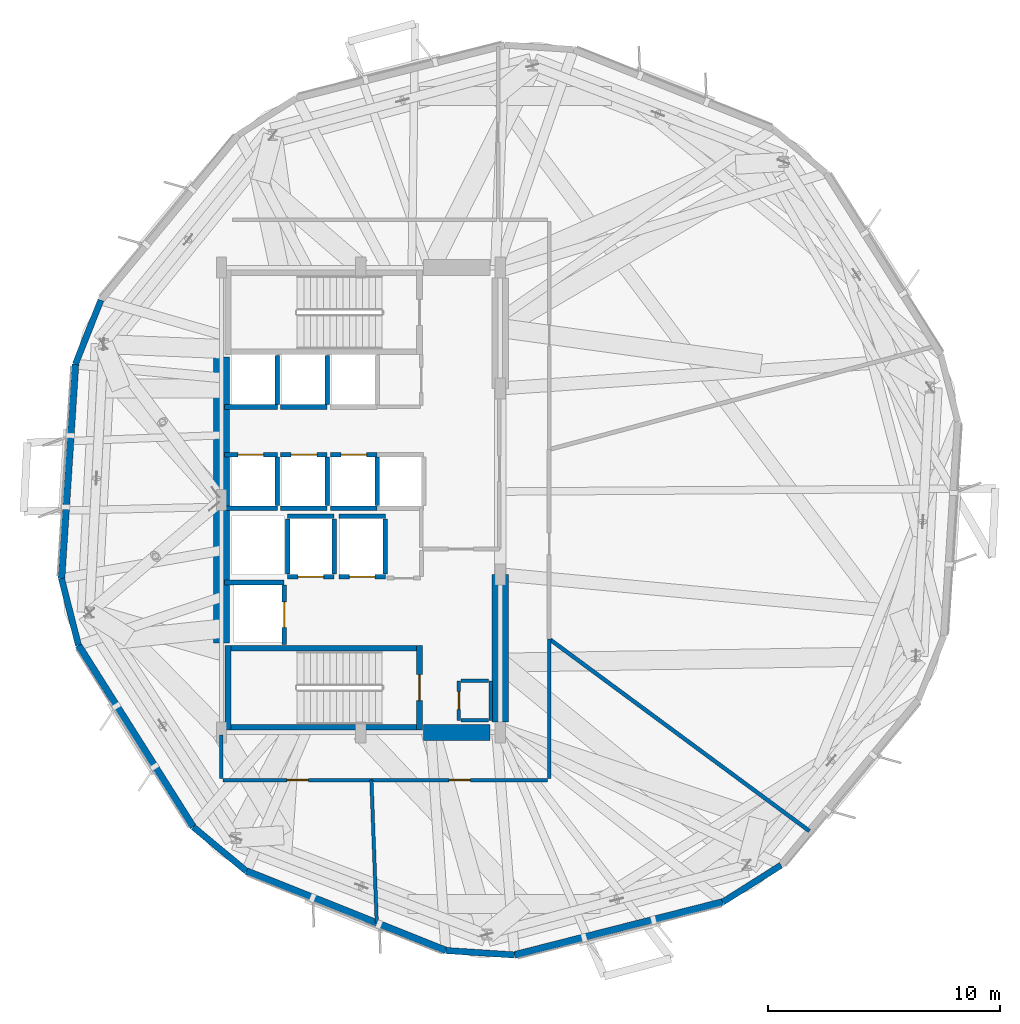
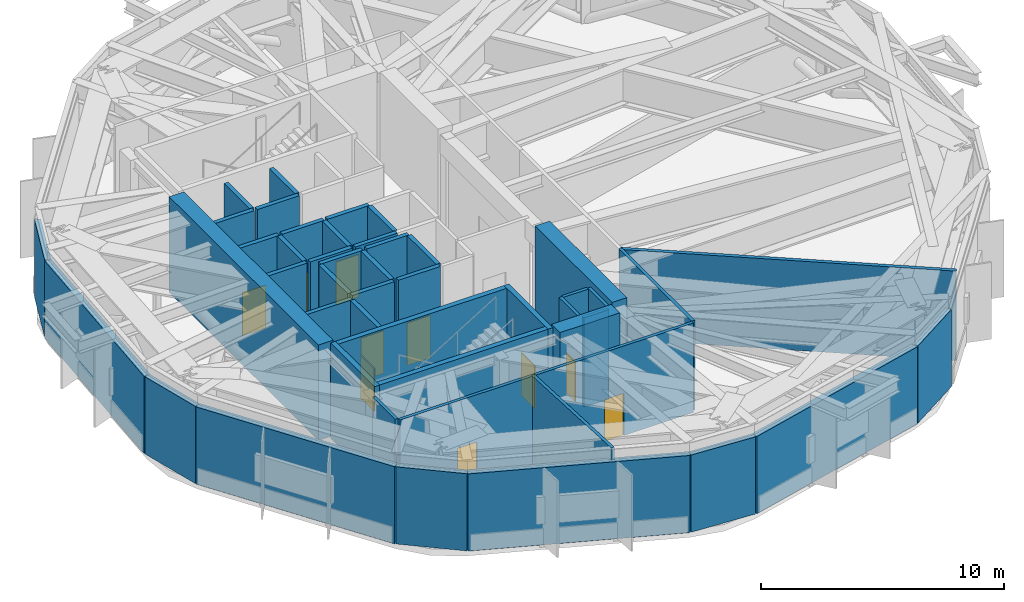
# One storey, part 8 of 13: 48 walls, 10 doors, 10 openings.
"""IFC4 building model written with IfcOpenShell, lengths in metres."""

from ifc_helpers import new_model, si_unit, direction, frame, frame_2d, origin, place, context, subcontext, project, spatial, rectangle, extrude, material, layer, layer_set, type_object, element, fill, save


model = new_model("IFC4")

# Units and contexts
model_context = context("Model", 3, precision=1e-05, world=origin(), true_north=direction((0.0, 1.0)))
body_context = subcontext(model_context, "Body", "Model", "MODEL_VIEW")
ifc_project = project(units=[si_unit("LENGTHUNIT", "METRE"), si_unit("AREAUNIT", "SQUARE_METRE"), si_unit("VOLUMEUNIT", "CUBIC_METRE"), si_unit("PLANEANGLEUNIT", "RADIAN"), si_unit("MASSUNIT", "GRAM", prefix="KILO")], contexts=[model_context])

# Site, building, storey
site_placement = place(None, origin())
site = spatial("IfcSite", under=ifc_project, at=site_placement, CompositionType="ELEMENT")
building_placement = place(site_placement, origin())
building = spatial("IfcBuilding", under=site, at=building_placement, Name="Soratama Intermodal Tower", CompositionType="ELEMENT")
storey_placement = place(building_placement, frame((0.0, 0.0, 82.60009765625)))
storey = spatial("IfcBuildingStorey", under=building, at=storey_placement, Name="L19", CompositionType="ELEMENT", Elevation=82.60009765625)

# Walls
ifc_material_1 = material(Name="Concrete f'c 42 MPa", Category="concrete")
ifc_layer_1 = layer(ifc_material_1, 0.27001953125)
ifc_layer_set_1 = layer_set([ifc_layer_1], Name="Concrete f'c 42 MPa")
wall_type_1 = type_object("IfcWallType", Name="EW-CRN-270", PredefinedType="SOLIDWALL", material=ifc_layer_set_1)
for number, where, z_axis, x_axis, name in (
    (1, (27.4111328125, 33.603271484375, 0.0), (0.0, 0.0, 1.0), (-0.369999752754, -0.929031852501, 0.0), "L19 Corner Closure Wall 04"),
    (2, (25.71337890625, 21.62158203125, 0.0), (0.0, 0.0, 1.0), (0.246735492597, -0.969082863687, 0.0), "L19 Corner Closure Wall 05"),
):
    element("IfcWall", number, at=place(storey_placement, frame(where, z_axis=z_axis, x_axis=x_axis)), inside=storey, type_object=wall_type_1, Name=name, PredefinedType="SOLIDWALL", context=body_context, shape_type="SweptSolid", body=[
        extrude(rectangle(XDim=2.966552734375, YDim=0.27001953125, at=frame_2d((1.4833984375, 0.0))), origin(), (0.0, 0.0, 1.0), 3.87890625),
    ])
wall_1_placement = place(storey_placement, frame((31.382568359375, 10.9306640625, 0.0), z_axis=(0.0, 0.0, 1.0), x_axis=(0.769198462911, -0.639009956617, 0.0)))
element("IfcWall", 3, at=wall_1_placement, inside=storey, type_object=wall_type_1, Name="L19 Corner Closure Wall 06", PredefinedType="SOLIDWALL", context=body_context, shape_type="SweptSolid", body=[
    extrude(rectangle(XDim=2.966796875, YDim=0.27001953125, at=frame_2d((1.4833984375, 0.0))), origin(), (0.0, 0.0, 1.0), 3.87890625),
])
for number, where, z_axis, x_axis, name in (
    (4, (42.253173828125, 5.613525390625, 0.0), (0.0, 0.0, 1.0), (0.997889506798, -0.064934830587, 0.0), "L19 Corner Closure Wall 07"),
    (5, (54.1728515625, 7.701416015625, 0.0), (0.0, 0.0, 1.0), (0.845459567391, 0.534039436659, 0.0), "L19 Corner Closure Wall 08"),
):
    element("IfcWall", number, at=place(storey_placement, frame(where, z_axis=z_axis, x_axis=x_axis)), inside=storey, type_object=wall_type_1, Name=name, PredefinedType="SOLIDWALL", context=body_context, shape_type="SweptSolid", body=[
        extrude(rectangle(XDim=2.966552734375, YDim=0.27001953125, at=frame_2d((1.4833984375, 0.0))), origin(), (0.0, 0.0, 1.0), 3.87890625),
    ])
ifc_material_2 = material(Name="Concrete f'c 42 MPa", Category="concrete")
ifc_layer_2 = layer(ifc_material_2, 0.300048828125)
ifc_layer_set_2 = layer_set([ifc_layer_2], Name="Concrete f'c 42 MPa")
wall_type_2 = type_object("IfcWallType", Name="EW-STONE-300", PredefinedType="SOLIDWALL", material=ifc_layer_set_2)
wall_2_placement = place(storey_placement, frame((26.3134765625, 30.84716796875, 0.0), z_axis=(0.0, 0.0, 1.0), x_axis=(-0.064909928811, -0.997891126898, 0.0)))
element("IfcWall", 6, at=wall_2_placement, inside=storey, type_object=wall_type_2, Name="L19 Plant Wall F05", PredefinedType="SOLIDWALL", context=body_context, shape_type="SweptSolid", body=[
    extrude(rectangle(XDim=9.2451171875, YDim=0.300048828125, at=frame_2d((4.62255859375, 0.0))), origin(), (0.0, 0.0, 1.0), 3.87890625),
])
wall_3_placement = place(storey_placement, frame((26.4453125, 18.746826171875, 0.0), z_axis=(0.0, 0.0, 1.0), x_axis=(0.534049623652, -0.845453132632, 0.0)))
element("IfcWall", 7, at=wall_3_placement, inside=storey, type_object=wall_type_2, Name="L19 Plant Wall F06", PredefinedType="SOLIDWALL", context=body_context, shape_type="SweptSolid", body=[
    extrude(rectangle(XDim=9.244873046875, YDim=0.300048828125, at=frame_2d((4.62255859375, 0.0))), origin(), (0.0, 0.0, 1.0), 3.87890625),
])
for number, where, z_axis, x_axis, name in (
    (8, (33.66455078125, 9.034912109375, 0.0), (0.0, 0.0, 1.0), (0.929000278628, -0.370079021709, 0.0), "L19 Plant Wall F07"),
    (9, (45.21337890625, 5.4208984375, 0.0), (0.0, 0.0, 1.0), (0.969099125139, 0.246671615018, 0.0), "L19 Plant Wall F08"),
):
    element("IfcWall", number, at=place(storey_placement, frame(where, z_axis=z_axis, x_axis=x_axis)), inside=storey, type_object=wall_type_2, Name=name, PredefinedType="SOLIDWALL", context=body_context, shape_type="SweptSolid", body=[
        extrude(rectangle(XDim=9.2451171875, YDim=0.300048828125, at=frame_2d((4.62255859375, 0.0))), origin(), (0.0, 0.0, 1.0), 3.87890625),
    ])
ifc_material_3 = material(Name="Fire-rated gypsum stud partition", Category="concrete")
ifc_layer_3 = layer(ifc_material_3, 0.14990234375)
ifc_layer_set_3 = layer_set([ifc_layer_3], Name="Fire-rated gypsum stud partition")
wall_type_3 = type_object("IfcWallType", Name="IW-PART-R150", PredefinedType="PARTITIONING", material=ifc_layer_set_3)
for number, where, z_axis, x_axis, name in (
    (10, (42.89990234375, 15.52001953125, 0.0), (0.0, 0.0, 1.0), (1.0, 0.0, 0.0), "L19 Riser Wall S"),
    (11, (42.89990234375, 17.219970703125, 0.0), (0.0, 0.0, 1.0), (1.0, 0.0, 0.0), "L19 Riser Wall N"),
):
    element("IfcWall", number, at=place(storey_placement, frame(where, z_axis=z_axis, x_axis=x_axis)), inside=storey, type_object=wall_type_3, Name=name, PredefinedType="PARTITIONING", context=body_context, shape_type="SweptSolid", body=[
        extrude(rectangle(XDim=1.2001953125, YDim=0.14990234375, at=frame_2d((0.60009765625, 0.0))), origin(), (0.0, 0.0, 1.0), 4.5),
    ])
wall_4_placement = place(storey_placement, frame((44.179931640625, 15.52001953125, 0.0), z_axis=(0.0, 0.0, 1.0), x_axis=(0.0, 1.0, 0.0)))
element("IfcWall", 12, at=wall_4_placement, inside=storey, type_object=wall_type_3, Name="L19 Riser Wall E", PredefinedType="PARTITIONING", context=body_context, shape_type="SweptSolid", body=[
    extrude(rectangle(XDim=1.699951171875, YDim=0.14990234375, at=frame_2d((0.85009765625, 0.0))), origin(), (0.0, 0.0, 1.0), 4.5),
])

# Wall, opening, door
wall_5_placement = place(storey_placement, frame((42.820068359375, 15.52001953125, 0.0), z_axis=(0.0, 0.0, 1.0), x_axis=(0.0, 1.0, 0.0)))
wall_5 = element("IfcWall", 13, at=wall_5_placement, inside=storey, type_object=wall_type_3, Name="L19 Riser Front Wall", PredefinedType="PARTITIONING", context=body_context, shape_type="SweptSolid", body=[
    extrude(rectangle(XDim=1.699951171875, YDim=0.14990234375, at=frame_2d((0.85009765625, 0.0))), origin(), (0.0, 0.0, 1.0), 4.5),
])
opening_1_placement = place(wall_5_placement, frame((0.469970703125, 0.0, 0.0)))
opening_1 = element("IfcOpeningElement", 14, at=opening_1_placement, cuts=wall_5, Name="Opening TD-1", PredefinedType="OPENING", context=body_context, shape_type="SweptSolid", body=[
    extrude(rectangle(XDim=0.760009765625, YDim=2.0, at=frame_2d((0.3798828125, 1.0))), frame((0.0, 0.0849609375, 0.0), z_axis=(0.0, -1.0, 0.0), x_axis=(1.0, 0.0, 0.0)), (0.0, 0.0, 1.0), 0.169921875),
])
ifc_material_4 = material(Name="Steel fire door", Category="steel")
door_type_1 = type_object("IfcDoorType", Name="DR-RISER-TRAP", OperationType="NOTDEFINED", PredefinedType="TRAPDOOR", material=ifc_material_4)
door_1_placement = place(opening_1_placement, origin())
door_1 = element("IfcDoor", 15, at=door_1_placement, inside=storey, type_object=door_type_1, Name="L19 Riser Inspection Door", OperationType="SINGLE_SWING_LEFT", OverallHeight=2.0, OverallWidth=0.760009765625, PredefinedType="TRAPDOOR", context=body_context, shape_type="SweptSolid", body=[
    extrude(rectangle(XDim=0.760009765625, YDim=2.0, at=frame_2d((0.3798828125, 1.0))), frame((0.0, 0.02490234375, 0.0), z_axis=(0.0, -1.0, 0.0), x_axis=(1.0, 0.0, 0.0)), (0.0, 0.0, 1.0), 0.050048828125),
])
fill(opening_1, door_1)

wall_6_placement = place(storey_placement, frame((46.6298828125, 12.949951171875, 0.0), z_axis=(0.0, 0.0, 1.0), x_axis=(-1.0, 0.0, 0.0)))
wall_6 = element("IfcWall", 16, at=wall_6_placement, inside=storey, type_object=wall_type_3, Name="L19 Partition W-L19-TP005", PredefinedType="PARTITIONING", context=body_context, shape_type="SweptSolid", body=[
    extrude(rectangle(XDim=7.578857421875, YDim=0.14990234375, at=frame_2d((3.78955078125, 0.0))), origin(), (0.0, 0.0, 1.0), 4.5),
])
opening_2_placement = place(wall_6_placement, frame((3.31494140625, 0.0, 0.0)))
opening_2 = element("IfcOpeningElement", 17, at=opening_2_placement, cuts=wall_6, Name="Opening ID-6", PredefinedType="OPENING", context=body_context, shape_type="SweptSolid", body=[
    extrude(rectangle(XDim=0.919921875, YDim=2.1201171875, at=frame_2d((0.4599609375, 1.06005859375))), frame((0.0, 0.0849609375, 0.0), z_axis=(0.0, -1.0, 0.0), x_axis=(1.0, 0.0, 0.0)), (0.0, 0.0, 1.0), 0.169921875),
])
ifc_material_5 = material(Name="Solid hardwood acoustic door", Category="wood")
door_type_2 = type_object("IfcDoorType", Name="DR-ROOM-920", OperationType="NOTDEFINED", PredefinedType="DOOR", material=ifc_material_5)
door_2_placement = place(opening_2_placement, origin())
door_2 = element("IfcDoor", 18, at=door_2_placement, inside=storey, type_object=door_type_2, Name="L19 Door D-L19-TP003", OperationType="SINGLE_SWING_RIGHT", OverallHeight=2.1201171875, OverallWidth=0.919921875, PredefinedType="DOOR", context=body_context, shape_type="SweptSolid", body=[
    extrude(rectangle(XDim=0.919921875, YDim=2.1201171875, at=frame_2d((0.4599609375, 1.06005859375))), frame((0.0, 0.02490234375, 0.0), z_axis=(0.0, -1.0, 0.0), x_axis=(1.0, 0.0, 0.0)), (0.0, 0.0, 1.0), 0.050048828125),
])
fill(opening_2, door_2)

wall_7_placement = place(storey_placement, frame((39.051025390625, 12.949951171875, 0.0), z_axis=(0.0, 0.0, 1.0), x_axis=(-1.0, 0.0, 0.0)))
wall_7 = element("IfcWall", 19, at=wall_7_placement, inside=storey, type_object=wall_type_3, Name="L19 Partition W-L19-TP008", PredefinedType="PARTITIONING", context=body_context, shape_type="SweptSolid", body=[
    extrude(rectangle(XDim=6.381103515625, YDim=0.14990234375, at=frame_2d((3.1904296875, 0.0))), origin(), (0.0, 0.0, 1.0), 4.5),
])
opening_3_placement = place(wall_7_placement, frame((2.716064453125, 0.0, 0.0)))
opening_3 = element("IfcOpeningElement", 20, at=opening_3_placement, cuts=wall_7, Name="Opening ID-6", PredefinedType="OPENING", context=body_context, shape_type="SweptSolid", body=[
    extrude(rectangle(XDim=0.919921875, YDim=2.1201171875, at=frame_2d((0.4599609375, 1.06005859375))), frame((0.0, 0.0849609375, 0.0), z_axis=(0.0, -1.0, 0.0), x_axis=(1.0, 0.0, 0.0)), (0.0, 0.0, 1.0), 0.169921875),
])
door_3_placement = place(opening_3_placement, origin())
door_3 = element("IfcDoor", 21, at=door_3_placement, inside=storey, type_object=door_type_2, Name="L19 Door D-L19-TP005", OperationType="SINGLE_SWING_RIGHT", OverallHeight=2.1201171875, OverallWidth=0.919921875, PredefinedType="DOOR", context=body_context, shape_type="SweptSolid", body=[
    extrude(rectangle(XDim=0.919921875, YDim=2.1201171875, at=frame_2d((0.4599609375, 1.06005859375))), frame((0.0, 0.02490234375, 0.0), z_axis=(0.0, -1.0, 0.0), x_axis=(1.0, 0.0, 0.0)), (0.0, 0.0, 1.0), 0.050048828125),
])
fill(opening_3, door_3)

# Walls
wall_8_placement = place(storey_placement, frame((39.051025390625, 12.949951171875, 0.0), z_axis=(0.0, 0.0, 1.0), x_axis=(0.037357823621, -0.999301952872, 0.0)))
element("IfcWall", 22, at=wall_8_placement, inside=storey, type_object=wall_type_3, Name="L19 Partition W-L19-TP009", PredefinedType="PARTITIONING", context=body_context, shape_type="SweptSolid", body=[
    extrude(rectangle(XDim=6.15625, YDim=0.14990234375, at=frame_2d((3.078125, 0.0))), origin(), (0.0, 0.0, 1.0), 4.5),
])
wall_9_placement = place(storey_placement, frame((46.699951171875, 19.02294921875, 0.0), z_axis=(0.0, 0.0, 1.0), x_axis=(0.0, -1.0, 0.0)))
element("IfcWall", 23, at=wall_9_placement, inside=storey, type_object=wall_type_3, Name="L19 Partition W-L19-TP010", PredefinedType="PARTITIONING", context=body_context, shape_type="SweptSolid", body=[
    extrude(rectangle(XDim=6.0029296875, YDim=0.14990234375, at=frame_2d((3.00146484375, 0.0))), origin(), (0.0, 0.0, 1.0), 4.5),
])
wall_10_placement = place(storey_placement, frame((32.60009765625, 13.02001953125, 0.0), z_axis=(0.0, 0.0, 1.0), x_axis=(0.0, 1.0, 0.0)))
element("IfcWall", 24, at=wall_10_placement, inside=storey, type_object=wall_type_3, Name="L19 Partition W-L19-TP014", PredefinedType="PARTITIONING", context=body_context, shape_type="SweptSolid", body=[
    extrude(rectangle(XDim=1.85986328125, YDim=0.14990234375, at=frame_2d((0.929931640625, 0.0))), origin(), (0.0, 0.0, 1.0), 4.5),
])
ifc_material_6 = material(Name="Fire-rated gypsum stud partition", Category="concrete")
ifc_layer_4 = layer(ifc_material_6, 0.169921875)
ifc_layer_set_4 = layer_set([ifc_layer_4], Name="Fire-rated gypsum stud partition")
wall_type_4 = type_object("IfcWallType", Name="IW-PART-R170", PredefinedType="PARTITIONING", material=ifc_layer_set_4)
wall_11_placement = place(storey_placement, frame((57.90087890625, 10.7548828125, 0.0), z_axis=(0.0, 0.0, 1.0), x_axis=(-0.8045495409, 0.593885541361, 0.0)))
element("IfcWall", 25, at=wall_11_placement, inside=storey, type_object=wall_type_4, Name="L19 Partition W-L19-TP002", PredefinedType="PARTITIONING", context=body_context, shape_type="SweptSolid", body=[
    extrude(rectangle(XDim=13.921875, YDim=0.169921875, at=frame_2d((6.9609375, 0.0))), origin(), (0.0, 0.0, 1.0), 4.5),
])

# Wall, opening, door
ifc_material_7 = material(Name="Concrete f'c 42 MPa", Category="concrete")
ifc_layer_5 = layer(ifc_material_7, 0.199951171875)
ifc_layer_set_5 = layer_set([ifc_layer_5], Name="Concrete f'c 42 MPa")
wall_type_5 = type_object("IfcWallType", Name="IW-SHAFT-200", PredefinedType="SOLIDWALL", material=ifc_layer_set_5)
wall_12_placement = place(storey_placement, frame((35.449951171875, 21.699951171875, 0.0), z_axis=(0.0, 0.0, 1.0), x_axis=(1.0, 0.0, 0.0)))
wall_12 = element("IfcWall", 26, at=wall_12_placement, inside=storey, type_object=wall_type_5, Name="L19 FFL-1 Hoistway Wall S", PredefinedType="SOLIDWALL", context=body_context, shape_type="SweptSolid", body=[
    extrude(rectangle(XDim=2.0, YDim=0.199951171875, at=frame_2d((1.0, 0.0))), origin(), (0.0, 0.0, 1.0), 4.5),
])
opening_4_placement = place(wall_12_placement, frame((0.449951171875, 0.0, 0.0)))
opening_4 = element("IfcOpeningElement", 27, at=opening_4_placement, cuts=wall_12, Name="Opening LD-1", PredefinedType="OPENING", context=body_context, shape_type="SweptSolid", body=[
    extrude(rectangle(XDim=1.10009765625, YDim=2.14990234375, at=frame_2d((0.550048828125, 1.074951171875))), frame((0.0, 0.10986328125, 0.0), z_axis=(0.0, -1.0, 0.0), x_axis=(1.0, 0.0, 0.0)), (0.0, 0.0, 1.0), 0.219970703125),
])
ifc_material_8 = material(Name="Steel fire door", Category="steel")
door_type_3 = type_object("IfcDoorType", Name="DR-LIFT-SLIDE", OperationType="NOTDEFINED", PredefinedType="DOOR", material=ifc_material_8)
door_4_placement = place(opening_4_placement, origin())
door_4 = element("IfcDoor", 28, at=door_4_placement, inside=storey, type_object=door_type_3, Name="L19 FFL-1 Sliding Landing Door", OperationType="SLIDING_TO_LEFT", OverallHeight=2.14990234375, OverallWidth=1.10009765625, PredefinedType="DOOR", context=body_context, shape_type="SweptSolid", body=[
    extrude(rectangle(XDim=1.10009765625, YDim=2.14990234375, at=frame_2d((0.550048828125, 1.074951171875))), frame((0.0, 0.02490234375, 0.0), z_axis=(0.0, -1.0, 0.0), x_axis=(1.0, 0.0, 0.0)), (0.0, 0.0, 1.0), 0.050048828125),
])
fill(opening_4, door_4)

# Walls
wall_13_placement = place(storey_placement, frame((35.449951171875, 24.300048828125, 0.0), z_axis=(0.0, 0.0, 1.0), x_axis=(1.0, 0.0, 0.0)))
element("IfcWall", 29, at=wall_13_placement, inside=storey, type_object=wall_type_5, Name="L19 FFL-1 Hoistway Wall N", PredefinedType="SOLIDWALL", context=body_context, shape_type="SweptSolid", body=[
    extrude(rectangle(XDim=2.0, YDim=0.199951171875, at=frame_2d((1.0, 0.0))), origin(), (0.0, 0.0, 1.0), 4.5),
])
for number, where, z_axis, x_axis, name in (
    (30, (35.449951171875, 21.81005859375, 0.0), (0.0, 0.0, 1.0), (0.0, 1.0, 0.0), "L19 FFL-1 Hoistway Wall W"),
    (31, (37.449951171875, 21.81005859375, 0.0), (0.0, 0.0, 1.0), (0.0, 1.0, 0.0), "L19 FFL-1 Hoistway Wall E"),
):
    element("IfcWall", number, at=place(storey_placement, frame(where, z_axis=z_axis, x_axis=x_axis)), inside=storey, type_object=wall_type_5, Name=name, PredefinedType="SOLIDWALL", context=body_context, shape_type="SweptSolid", body=[
        extrude(rectangle(XDim=2.3798828125, YDim=0.199951171875, at=frame_2d((1.18994140625, 0.0))), origin(), (0.0, 0.0, 1.0), 4.5),
    ])

# Wall, opening, door
wall_14_placement = place(storey_placement, frame((37.64990234375, 21.699951171875, 0.0), z_axis=(0.0, 0.0, 1.0), x_axis=(1.0, 0.0, 0.0)))
wall_14 = element("IfcWall", 32, at=wall_14_placement, inside=storey, type_object=wall_type_5, Name="L19 FFL-2 Hoistway Wall S", PredefinedType="SOLIDWALL", context=body_context, shape_type="SweptSolid", body=[
    extrude(rectangle(XDim=2.0, YDim=0.199951171875, at=frame_2d((1.0, 0.0))), origin(), (0.0, 0.0, 1.0), 4.5),
])
opening_5_placement = place(wall_14_placement, frame((0.449951171875, 0.0, 0.0)))
opening_5 = element("IfcOpeningElement", 33, at=opening_5_placement, cuts=wall_14, Name="Opening LD-1", PredefinedType="OPENING", context=body_context, shape_type="SweptSolid", body=[
    extrude(rectangle(XDim=1.10009765625, YDim=2.14990234375, at=frame_2d((0.550048828125, 1.074951171875))), frame((0.0, 0.10986328125, 0.0), z_axis=(0.0, -1.0, 0.0), x_axis=(1.0, 0.0, 0.0)), (0.0, 0.0, 1.0), 0.219970703125),
])
door_5_placement = place(opening_5_placement, origin())
door_5 = element("IfcDoor", 34, at=door_5_placement, inside=storey, type_object=door_type_3, Name="L19 FFL-2 Sliding Landing Door", OperationType="SLIDING_TO_LEFT", OverallHeight=2.14990234375, OverallWidth=1.10009765625, PredefinedType="DOOR", context=body_context, shape_type="SweptSolid", body=[
    extrude(rectangle(XDim=1.10009765625, YDim=2.14990234375, at=frame_2d((0.550048828125, 1.074951171875))), frame((0.0, 0.02490234375, 0.0), z_axis=(0.0, -1.0, 0.0), x_axis=(1.0, 0.0, 0.0)), (0.0, 0.0, 1.0), 0.050048828125),
])
fill(opening_5, door_5)

# Walls
wall_15_placement = place(storey_placement, frame((37.64990234375, 24.300048828125, 0.0), z_axis=(0.0, 0.0, 1.0), x_axis=(1.0, 0.0, 0.0)))
element("IfcWall", 35, at=wall_15_placement, inside=storey, type_object=wall_type_5, Name="L19 FFL-2 Hoistway Wall N", PredefinedType="SOLIDWALL", context=body_context, shape_type="SweptSolid", body=[
    extrude(rectangle(XDim=2.0, YDim=0.199951171875, at=frame_2d((1.0, 0.0))), origin(), (0.0, 0.0, 1.0), 4.5),
])
wall_16_placement = place(storey_placement, frame((39.64990234375, 21.81005859375, 0.0), z_axis=(0.0, 0.0, 1.0), x_axis=(0.0, 1.0, 0.0)))
element("IfcWall", 36, at=wall_16_placement, inside=storey, type_object=wall_type_5, Name="L19 FFL-2 Hoistway Wall E", PredefinedType="SOLIDWALL", context=body_context, shape_type="SweptSolid", body=[
    extrude(rectangle(XDim=2.3798828125, YDim=0.199951171875, at=frame_2d((1.18994140625, 0.0))), origin(), (0.0, 0.0, 1.0), 4.5),
])
wall_17_placement = place(storey_placement, frame((32.719970703125, 21.449951171875, 0.0), z_axis=(0.0, 0.0, 1.0), x_axis=(1.0, 0.0, 0.0)))
element("IfcWall", 37, at=wall_17_placement, inside=storey, type_object=wall_type_5, Name="L19 SVL-1 Hoistway Wall N", PredefinedType="SOLIDWALL", context=body_context, shape_type="SweptSolid", body=[
    extrude(rectangle(XDim=2.580078125, YDim=0.199951171875, at=frame_2d((1.2900390625, 0.0))), origin(), (0.0, 0.0, 1.0), 4.5),
])

# Wall, opening, door
wall_18_placement = place(storey_placement, frame((35.300048828125, 18.7900390625, 0.0), z_axis=(0.0, 0.0, 1.0), x_axis=(0.0, 1.0, 0.0)))
wall_18 = element("IfcWall", 38, at=wall_18_placement, inside=storey, type_object=wall_type_5, Name="L19 SVL-1 Hoistway Wall E", PredefinedType="SOLIDWALL", context=body_context, shape_type="SweptSolid", body=[
    extrude(rectangle(XDim=2.550048828125, YDim=0.199951171875, at=frame_2d((1.27490234375, 0.0))), origin(), (0.0, 0.0, 1.0), 4.5),
])
opening_6_placement = place(wall_18_placement, frame((0.72509765625, 0.0, 0.0)))
opening_6 = element("IfcOpeningElement", 39, at=opening_6_placement, cuts=wall_18, Name="Opening LD-1", PredefinedType="OPENING", context=body_context, shape_type="SweptSolid", body=[
    extrude(rectangle(XDim=1.10009765625, YDim=2.14990234375, at=frame_2d((0.550048828125, 1.074951171875))), frame((0.0, 0.10986328125, 0.0), z_axis=(0.0, -1.0, 0.0), x_axis=(1.0, 0.0, 0.0)), (0.0, 0.0, 1.0), 0.219970703125),
])
door_6_placement = place(opening_6_placement, origin())
door_6 = element("IfcDoor", 40, at=door_6_placement, inside=storey, type_object=door_type_3, Name="L19 SVL-1 Sliding Landing Door", OperationType="SLIDING_TO_LEFT", OverallHeight=2.14990234375, OverallWidth=1.10009765625, PredefinedType="DOOR", context=body_context, shape_type="SweptSolid", body=[
    extrude(rectangle(XDim=1.10009765625, YDim=2.14990234375, at=frame_2d((0.550048828125, 1.074951171875))), frame((0.0, 0.02490234375, 0.0), z_axis=(0.0, -1.0, 0.0), x_axis=(1.0, 0.0, 0.0)), (0.0, 0.0, 1.0), 0.050048828125),
])
fill(opening_6, door_6)

# Wall
wall_19_placement = place(storey_placement, frame((32.719970703125, 24.64990234375, 0.0), z_axis=(0.0, 0.0, 1.0), x_axis=(1.0, 0.0, 0.0)))
element("IfcWall", 41, at=wall_19_placement, inside=storey, type_object=wall_type_5, Name="L19 PL-L1 Hoistway Wall S", PredefinedType="SOLIDWALL", context=body_context, shape_type="SweptSolid", body=[
    extrude(rectangle(XDim=2.280029296875, YDim=0.199951171875, at=frame_2d((1.14013671875, 0.0))), origin(), (0.0, 0.0, 1.0), 4.5),
])

# Wall, opening, door
wall_20_placement = place(storey_placement, frame((32.719970703125, 26.949951171875, 0.0), z_axis=(0.0, 0.0, 1.0), x_axis=(1.0, 0.0, 0.0)))
wall_20 = element("IfcWall", 42, at=wall_20_placement, inside=storey, type_object=wall_type_5, Name="L19 PL-L1 Hoistway Wall N", PredefinedType="SOLIDWALL", context=body_context, shape_type="SweptSolid", body=[
    extrude(rectangle(XDim=2.280029296875, YDim=0.199951171875, at=frame_2d((1.14013671875, 0.0))), origin(), (0.0, 0.0, 1.0), 4.5),
])
opening_7_placement = place(wall_20_placement, frame((0.590087890625, 0.0, 0.0)))
opening_7 = element("IfcOpeningElement", 43, at=opening_7_placement, cuts=wall_20, Name="Opening LD-1", PredefinedType="OPENING", context=body_context, shape_type="SweptSolid", body=[
    extrude(rectangle(XDim=1.10009765625, YDim=2.14990234375, at=frame_2d((0.550048828125, 1.074951171875))), frame((0.0, 0.10986328125, 0.0), z_axis=(0.0, -1.0, 0.0), x_axis=(1.0, 0.0, 0.0)), (0.0, 0.0, 1.0), 0.219970703125),
])
door_7_placement = place(opening_7_placement, origin())
door_7 = element("IfcDoor", 44, at=door_7_placement, inside=storey, type_object=door_type_3, Name="L19 PL-L1 Sliding Landing Door", OperationType="SLIDING_TO_LEFT", OverallHeight=2.14990234375, OverallWidth=1.10009765625, PredefinedType="DOOR", context=body_context, shape_type="SweptSolid", body=[
    extrude(rectangle(XDim=1.10009765625, YDim=2.14990234375, at=frame_2d((0.550048828125, 1.074951171875))), frame((0.0, 0.02490234375, 0.0), z_axis=(0.0, -1.0, 0.0), x_axis=(1.0, 0.0, 0.0)), (0.0, 0.0, 1.0), 0.050048828125),
])
fill(opening_7, door_7)

# Walls
wall_21_placement = place(storey_placement, frame((35.0, 24.760009765625, 0.0), z_axis=(0.0, 0.0, 1.0), x_axis=(0.0, 1.0, 0.0)))
element("IfcWall", 45, at=wall_21_placement, inside=storey, type_object=wall_type_5, Name="L19 PL-L1 Hoistway Wall E", PredefinedType="SOLIDWALL", context=body_context, shape_type="SweptSolid", body=[
    extrude(rectangle(XDim=2.080078125, YDim=0.199951171875, at=frame_2d((1.0400390625, 0.0))), origin(), (0.0, 0.0, 1.0), 4.5),
])
wall_22_placement = place(storey_placement, frame((35.14990234375, 24.64990234375, 0.0), z_axis=(0.0, 0.0, 1.0), x_axis=(1.0, 0.0, 0.0)))
element("IfcWall", 46, at=wall_22_placement, inside=storey, type_object=wall_type_5, Name="L19 PL-L2 Hoistway Wall S", PredefinedType="SOLIDWALL", context=body_context, shape_type="SweptSolid", body=[
    extrude(rectangle(XDim=2.0, YDim=0.199951171875, at=frame_2d((1.0, 0.0))), origin(), (0.0, 0.0, 1.0), 4.5),
])

# Wall, opening, door
wall_23_placement = place(storey_placement, frame((35.14990234375, 26.949951171875, 0.0), z_axis=(0.0, 0.0, 1.0), x_axis=(1.0, 0.0, 0.0)))
wall_23 = element("IfcWall", 47, at=wall_23_placement, inside=storey, type_object=wall_type_5, Name="L19 PL-L2 Hoistway Wall N", PredefinedType="SOLIDWALL", context=body_context, shape_type="SweptSolid", body=[
    extrude(rectangle(XDim=2.0, YDim=0.199951171875, at=frame_2d((1.0, 0.0))), origin(), (0.0, 0.0, 1.0), 4.5),
])
opening_8_placement = place(wall_23_placement, frame((0.449951171875, 0.0, 0.0)))
opening_8 = element("IfcOpeningElement", 48, at=opening_8_placement, cuts=wall_23, Name="Opening LD-1", PredefinedType="OPENING", context=body_context, shape_type="SweptSolid", body=[
    extrude(rectangle(XDim=1.10009765625, YDim=2.14990234375, at=frame_2d((0.550048828125, 1.074951171875))), frame((0.0, 0.10986328125, 0.0), z_axis=(0.0, -1.0, 0.0), x_axis=(1.0, 0.0, 0.0)), (0.0, 0.0, 1.0), 0.219970703125),
])
door_8_placement = place(opening_8_placement, origin())
door_8 = element("IfcDoor", 49, at=door_8_placement, inside=storey, type_object=door_type_3, Name="L19 PL-L2 Sliding Landing Door", OperationType="SLIDING_TO_LEFT", OverallHeight=2.14990234375, OverallWidth=1.10009765625, PredefinedType="DOOR", context=body_context, shape_type="SweptSolid", body=[
    extrude(rectangle(XDim=1.10009765625, YDim=2.14990234375, at=frame_2d((0.550048828125, 1.074951171875))), frame((0.0, 0.02490234375, 0.0), z_axis=(0.0, -1.0, 0.0), x_axis=(1.0, 0.0, 0.0)), (0.0, 0.0, 1.0), 0.050048828125),
])
fill(opening_8, door_8)

# Walls
wall_24_placement = place(storey_placement, frame((37.14990234375, 24.760009765625, 0.0), z_axis=(0.0, 0.0, 1.0), x_axis=(0.0, 1.0, 0.0)))
element("IfcWall", 50, at=wall_24_placement, inside=storey, type_object=wall_type_5, Name="L19 PL-L2 Hoistway Wall E", PredefinedType="SOLIDWALL", context=body_context, shape_type="SweptSolid", body=[
    extrude(rectangle(XDim=2.080078125, YDim=0.199951171875, at=frame_2d((1.0400390625, 0.0))), origin(), (0.0, 0.0, 1.0), 4.5),
])
wall_25_placement = place(storey_placement, frame((37.300048828125, 24.64990234375, 0.0), z_axis=(0.0, 0.0, 1.0), x_axis=(1.0, 0.0, 0.0)))
element("IfcWall", 51, at=wall_25_placement, inside=storey, type_object=wall_type_5, Name="L19 PL-L3 Hoistway Wall S", PredefinedType="SOLIDWALL", context=body_context, shape_type="SweptSolid", body=[
    extrude(rectangle(XDim=2.0, YDim=0.199951171875, at=frame_2d((1.0, 0.0))), origin(), (0.0, 0.0, 1.0), 4.5),
])

# Wall, opening, door
wall_26_placement = place(storey_placement, frame((37.300048828125, 26.949951171875, 0.0), z_axis=(0.0, 0.0, 1.0), x_axis=(1.0, 0.0, 0.0)))
wall_26 = element("IfcWall", 52, at=wall_26_placement, inside=storey, type_object=wall_type_5, Name="L19 PL-L3 Hoistway Wall N", PredefinedType="SOLIDWALL", context=body_context, shape_type="SweptSolid", body=[
    extrude(rectangle(XDim=2.0, YDim=0.199951171875, at=frame_2d((1.0, 0.0))), origin(), (0.0, 0.0, 1.0), 4.5),
])
opening_9_placement = place(wall_26_placement, frame((0.449951171875, 0.0, 0.0)))
opening_9 = element("IfcOpeningElement", 53, at=opening_9_placement, cuts=wall_26, Name="Opening LD-1", PredefinedType="OPENING", context=body_context, shape_type="SweptSolid", body=[
    extrude(rectangle(XDim=1.10009765625, YDim=2.14990234375, at=frame_2d((0.550048828125, 1.074951171875))), frame((0.0, 0.10986328125, 0.0), z_axis=(0.0, -1.0, 0.0), x_axis=(1.0, 0.0, 0.0)), (0.0, 0.0, 1.0), 0.219970703125),
])
door_9_placement = place(opening_9_placement, origin())
door_9 = element("IfcDoor", 54, at=door_9_placement, inside=storey, type_object=door_type_3, Name="L19 PL-L3 Sliding Landing Door", OperationType="SLIDING_TO_LEFT", OverallHeight=2.14990234375, OverallWidth=1.10009765625, PredefinedType="DOOR", context=body_context, shape_type="SweptSolid", body=[
    extrude(rectangle(XDim=1.10009765625, YDim=2.14990234375, at=frame_2d((0.550048828125, 1.074951171875))), frame((0.0, 0.02490234375, 0.0), z_axis=(0.0, -1.0, 0.0), x_axis=(1.0, 0.0, 0.0)), (0.0, 0.0, 1.0), 0.050048828125),
])
fill(opening_9, door_9)

# Walls
wall_27_placement = place(storey_placement, frame((39.300048828125, 24.760009765625, 0.0), z_axis=(0.0, 0.0, 1.0), x_axis=(0.0, 1.0, 0.0)))
element("IfcWall", 55, at=wall_27_placement, inside=storey, type_object=wall_type_5, Name="L19 PL-L3 Hoistway Wall E", PredefinedType="SOLIDWALL", context=body_context, shape_type="SweptSolid", body=[
    extrude(rectangle(XDim=2.080078125, YDim=0.199951171875, at=frame_2d((1.0400390625, 0.0))), origin(), (0.0, 0.0, 1.0), 4.5),
])
wall_28_placement = place(storey_placement, frame((32.719970703125, 29.0, 0.0), z_axis=(0.0, 0.0, 1.0), x_axis=(1.0, 0.0, 0.0)))
element("IfcWall", 56, at=wall_28_placement, inside=storey, type_object=wall_type_5, Name="L19 PL-M2 Hoistway Wall S", PredefinedType="SOLIDWALL", context=body_context, shape_type="SweptSolid", body=[
    extrude(rectangle(XDim=2.280029296875, YDim=0.199951171875, at=frame_2d((1.14013671875, 0.0))), origin(), (0.0, 0.0, 1.0), 4.5),
])
wall_29_placement = place(storey_placement, frame((35.0, 29.110107421875, 0.0), z_axis=(0.0, 0.0, 1.0), x_axis=(0.0, 1.0, 0.0)))
element("IfcWall", 57, at=wall_29_placement, inside=storey, type_object=wall_type_5, Name="L19 PL-M2 Hoistway Wall E", PredefinedType="SOLIDWALL", context=body_context, shape_type="SweptSolid", body=[
    extrude(rectangle(XDim=2.099853515625, YDim=0.199951171875, at=frame_2d((1.0498046875, 0.0))), origin(), (0.0, 0.0, 1.0), 4.5),
])
wall_30_placement = place(storey_placement, frame((35.14990234375, 29.0, 0.0), z_axis=(0.0, 0.0, 1.0), x_axis=(1.0, 0.0, 0.0)))
element("IfcWall", 58, at=wall_30_placement, inside=storey, type_object=wall_type_5, Name="L19 PL-H1 Hoistway Wall S", PredefinedType="SOLIDWALL", context=body_context, shape_type="SweptSolid", body=[
    extrude(rectangle(XDim=2.0, YDim=0.199951171875, at=frame_2d((1.0, 0.0))), origin(), (0.0, 0.0, 1.0), 4.5),
])
wall_31_placement = place(storey_placement, frame((37.14990234375, 29.110107421875, 0.0), z_axis=(0.0, 0.0, 1.0), x_axis=(0.0, 1.0, 0.0)))
element("IfcWall", 59, at=wall_31_placement, inside=storey, type_object=wall_type_5, Name="L19 PL-H1 Hoistway Wall E", PredefinedType="SOLIDWALL", context=body_context, shape_type="SweptSolid", body=[
    extrude(rectangle(XDim=2.099853515625, YDim=0.199951171875, at=frame_2d((1.0498046875, 0.0))), origin(), (0.0, 0.0, 1.0), 4.5),
])
ifc_material_9 = material(Name="Concrete f'c 56 MPa", Category="concrete")
ifc_layer_6 = layer(ifc_material_9, 0.699951171875)
ifc_layer_set_6 = layer_set([ifc_layer_6], Name="Concrete f'c 56 MPa")
wall_type_6 = type_object("IfcWallType", Name="SW-CORE-700", PredefinedType="SHEAR", material=ifc_layer_set_6)
wall_32_placement = place(storey_placement, frame((32.60009765625, 18.85009765625, 0.0), z_axis=(0.0, 0.0, 1.0), x_axis=(0.0, 1.0, 0.0)))
element("IfcWall", 60, at=wall_32_placement, inside=storey, type_object=wall_type_6, Name="L19 Core Shear Wall CW-WMID", PredefinedType="SHEAR", context=body_context, shape_type="SweptSolid", body=[
    extrude(rectangle(XDim=12.2998046875, YDim=0.699951171875, at=frame_2d((6.14990234375, 0.0))), origin(), (0.0, 0.0, 1.0), 4.7998046875),
])
wall_33_placement = place(storey_placement, frame((41.300048828125, 15.0, 0.0), z_axis=(0.0, 0.0, 1.0), x_axis=(1.0, 0.0, 0.0)))
element("IfcWall", 61, at=wall_33_placement, inside=storey, type_object=wall_type_6, Name="L19 Core Shear Wall CW-SE", PredefinedType="SHEAR", context=body_context, shape_type="SweptSolid", body=[
    extrude(rectangle(XDim=2.849853515625, YDim=0.699951171875, at=frame_2d((1.4248046875, 0.0))), origin(), (0.0, 0.0, 1.0), 4.7998046875),
])
wall_34_placement = place(storey_placement, frame((44.60009765625, 15.449951171875, 0.0), z_axis=(0.0, 0.0, 1.0), x_axis=(0.0, 1.0, 0.0)))
element("IfcWall", 62, at=wall_34_placement, inside=storey, type_object=wall_type_6, Name="L19 Core Shear Wall CW-ES", PredefinedType="SHEAR", context=body_context, shape_type="SweptSolid", body=[
    extrude(rectangle(XDim=6.35009765625, YDim=0.699951171875, at=frame_2d((3.175048828125, 0.0))), origin(), (0.0, 0.0, 1.0), 4.7998046875),
])
ifc_material_10 = material(Name="Concrete f'c 56 MPa", Category="concrete")
ifc_layer_7 = layer(ifc_material_10, 0.239990234375)
ifc_layer_set_7 = layer_set([ifc_layer_7], Name="Concrete f'c 56 MPa")
wall_type_7 = type_object("IfcWallType", Name="SW-STAIR-240", PredefinedType="SHEAR", material=ifc_layer_set_7)
wall_35_placement = place(storey_placement, frame((32.8798828125, 15.110107421875, 0.0), z_axis=(0.0, 0.0, 1.0), x_axis=(0.0, 1.0, 0.0)))
element("IfcWall", 63, at=wall_35_placement, inside=storey, type_object=wall_type_7, Name="L19 ST-1 Shaft Shear Wall W", PredefinedType="SHEAR", context=body_context, shape_type="SweptSolid", body=[
    extrude(rectangle(XDim=3.6298828125, YDim=0.239990234375, at=frame_2d((1.81494140625, 0.0))), origin(), (0.0, 0.0, 1.0), 4.7998046875),
])

# Wall, opening, door
wall_36_placement = place(storey_placement, frame((41.1201171875, 15.110107421875, 0.0), z_axis=(0.0, 0.0, 1.0), x_axis=(0.0, 1.0, 0.0)))
wall_36 = element("IfcWall", 64, at=wall_36_placement, inside=storey, type_object=wall_type_7, Name="L19 ST-1 Shaft Shear Wall E", PredefinedType="SHEAR", context=body_context, shape_type="SweptSolid", body=[
    extrude(rectangle(XDim=3.6298828125, YDim=0.239990234375, at=frame_2d((1.81494140625, 0.0))), origin(), (0.0, 0.0, 1.0), 4.7998046875),
])
opening_10_placement = place(wall_36_placement, frame((1.2548828125, 0.0, 0.0)))
opening_10 = element("IfcOpeningElement", 65, at=opening_10_placement, cuts=wall_36, Name="Opening SD-1", PredefinedType="OPENING", context=body_context, shape_type="SweptSolid", body=[
    extrude(rectangle(XDim=1.1201171875, YDim=2.14990234375, at=frame_2d((0.56005859375, 1.074951171875))), frame((0.0, 0.1298828125, 0.0), z_axis=(0.0, -1.0, 0.0), x_axis=(1.0, 0.0, 0.0)), (0.0, 0.0, 1.0), 0.260009765625),
])
ifc_material_11 = material(Name="Steel fire door", Category="steel")
door_type_4 = type_object("IfcDoorType", Name="DR-STAIR-FD90", OperationType="NOTDEFINED", PredefinedType="DOOR", material=ifc_material_11)
door_10_placement = place(opening_10_placement, origin())
door_10 = element("IfcDoor", 66, at=door_10_placement, inside=storey, type_object=door_type_4, Name="L19 ST-1 Exit Stair Door", OperationType="SINGLE_SWING_LEFT", OverallHeight=2.14990234375, OverallWidth=1.1201171875, PredefinedType="DOOR", context=body_context, shape_type="SweptSolid", body=[
    extrude(rectangle(XDim=1.1201171875, YDim=2.14990234375, at=frame_2d((0.56005859375, 1.074951171875))), frame((0.0, 0.02490234375, 0.0), z_axis=(0.0, -1.0, 0.0), x_axis=(1.0, 0.0, 0.0)), (0.0, 0.0, 1.0), 0.050048828125),
])
fill(opening_10, door_10)

# Walls
for number, where, z_axis, x_axis, name in (
    (67, (33.0, 15.22998046875, 0.0), (0.0, 0.0, 1.0), (1.0, 0.0, 0.0), "L19 ST-1 Shaft Shear Wall S"),
    (68, (33.0, 18.6201171875, 0.0), (0.0, 0.0, 1.0), (1.0, 0.0, 0.0), "L19 ST-1 Shaft Shear Wall N"),
):
    element("IfcWall", number, at=place(storey_placement, frame(where, z_axis=z_axis, x_axis=x_axis)), inside=storey, type_object=wall_type_7, Name=name, PredefinedType="SHEAR", context=body_context, shape_type="SweptSolid", body=[
        extrude(rectangle(XDim=8.0, YDim=0.239990234375, at=frame_2d((4.0, 0.0))), origin(), (0.0, 0.0, 1.0), 4.7998046875),
    ])

save(model, "model.ifc")
